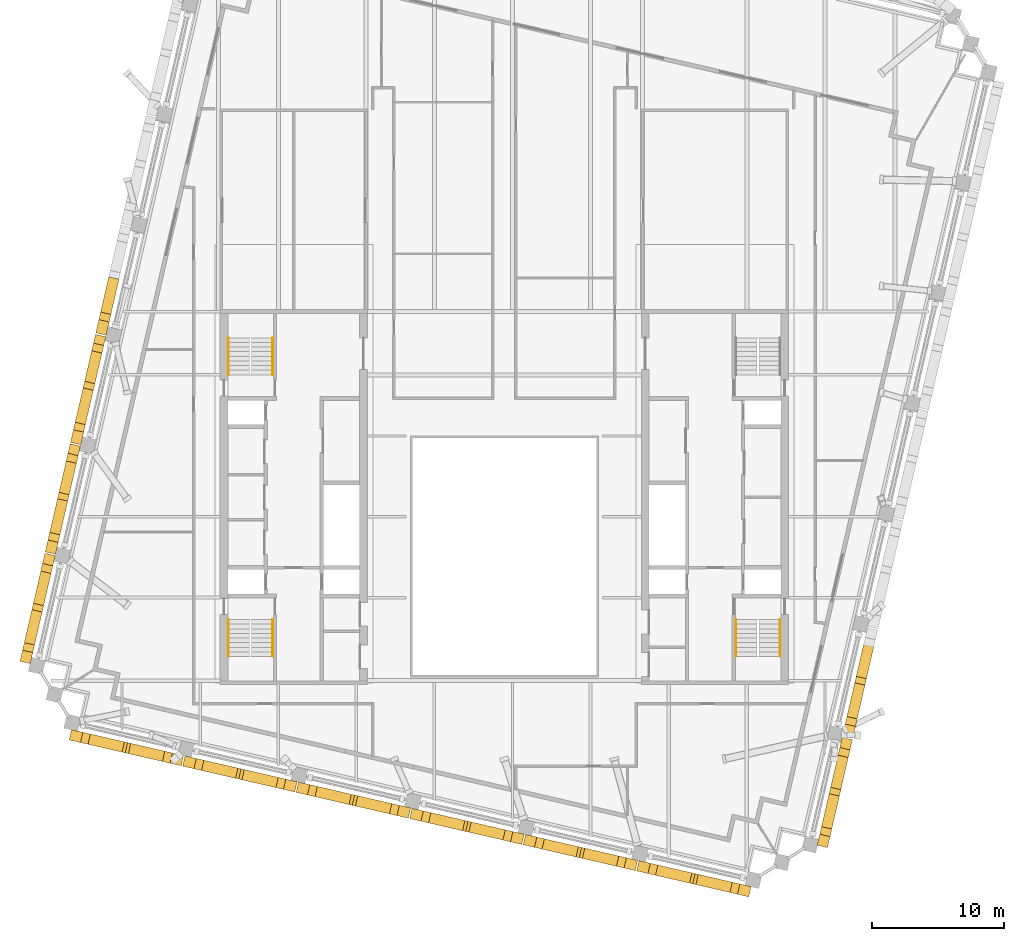
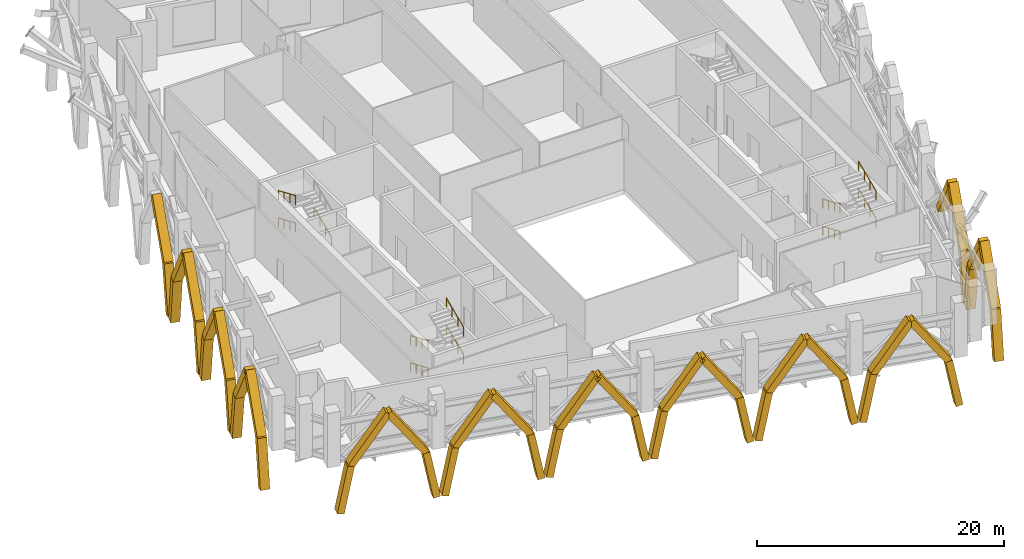
# One storey, part 17 of 19: 45 coverings, 11 railings.
"""IFC4 building model written with IfcOpenShell, lengths in metres."""

from ifc_helpers import new_model, si_unit, direction, frame, origin, origin_2d, place, context, subcontext, project, spatial, rectangle, circle, extrude, material, material_profile, profile_set, type_object, element, save


model = new_model("IFC4")

# Units and contexts
model_context = context("Model", 3, precision=1e-05, world=origin(), true_north=direction((0.0, 1.0)))
body_context = subcontext(model_context, "Body", "Model", "MODEL_VIEW")
ifc_project = project(units=[si_unit("LENGTHUNIT", "METRE"), si_unit("AREAUNIT", "SQUARE_METRE"), si_unit("VOLUMEUNIT", "CUBIC_METRE"), si_unit("PLANEANGLEUNIT", "RADIAN"), si_unit("MASSUNIT", "GRAM", prefix="KILO")], contexts=[model_context])

# Site, building, storey
site_placement = place(None, origin())
site = spatial("IfcSite", under=ifc_project, at=site_placement, CompositionType="ELEMENT")
building_placement = place(site_placement, origin())
building = spatial("IfcBuilding", under=site, at=building_placement, Name="Ogive Exchange Tower", CompositionType="ELEMENT")
storey_placement = place(building_placement, frame((0.0, 0.0, 297.60009765625)))
storey = spatial("IfcBuildingStorey", under=building, at=storey_placement, Name="L65", CompositionType="ELEMENT", Elevation=297.60009765625)

# Coverings
ifc_material_1 = material(Name="Precast concrete C50/60", Category="concrete")
ifc_material_profile = material_profile(ifc_material_1, rectangle(XDim=0.800048828125, YDim=0.60009765625, at=origin_2d()), Name="RIB 800 x 600")
ifc_profile_set = profile_set([ifc_material_profile], Name="Precast concrete C50/60")
covering_type = type_object("IfcCoveringType", Name="Precast tracery rib 800 x 600 C50/60", PredefinedType="CLADDING", material=ifc_profile_set)
covering_1_placement = place(storey_placement, frame((-32.68896484375, -6.6201171875, -4.2001953125), z_axis=(0.18511404867, -0.042933394896, 0.981778749305), x_axis=(0.225932420862, 0.974142977803, 0.0)))
element("IfcCovering", 1, at=covering_1_placement, inside=storey, type_object=covering_type, Name="Tracery rib 1a", PredefinedType="CLADDING", context=body_context, shape_type="SweptSolid", body=[
    extrude(rectangle(XDim=0.800048828125, YDim=0.60009765625, at=origin_2d()), origin(), (0.0, 0.0, 1.0), 4.634521484375),
])
covering_2_placement = place(storey_placement, frame((-31.8310546875, -6.819091796875, 0.349853515625), z_axis=(0.559935951159, -0.129148430112, 0.818408463787), x_axis=(0.224747882162, 0.974416948469, 0.0)))
element("IfcCovering", 2, at=covering_2_placement, inside=storey, type_object=covering_type, Name="Tracery rib 1a", PredefinedType="CLADDING", context=body_context, shape_type="SweptSolid", body=[
    extrude(rectangle(XDim=0.800048828125, YDim=0.60009765625, at=origin_2d()), origin(), (0.0, 0.0, 1.0), 5.5595703125),
])
covering_3_placement = place(storey_placement, frame((-24.748046875, -8.4541015625, -4.2001953125), z_axis=(-0.184912210258, 0.042724730062, 0.981825886774), x_axis=(-0.225123050168, -0.97433034043, 0.0)))
element("IfcCovering", 3, at=covering_3_placement, inside=storey, type_object=covering_type, Name="Tracery rib 1b", PredefinedType="CLADDING", context=body_context, shape_type="SweptSolid", body=[
    extrude(rectangle(XDim=0.800048828125, YDim=0.60009765625, at=origin_2d()), origin(), (0.0, 0.0, 1.0), 4.63427734375),
])
covering_4_placement = place(storey_placement, frame((-25.60498046875, -8.256103515625, 0.349853515625), z_axis=(-0.559923240677, 0.129321146874, 0.818389886009), x_axis=(-0.225038087544, -0.974349967494, 0.0)))
element("IfcCovering", 4, at=covering_4_placement, inside=storey, type_object=covering_type, Name="Tracery rib 1b", PredefinedType="CLADDING", context=body_context, shape_type="SweptSolid", body=[
    extrude(rectangle(XDim=0.800048828125, YDim=0.60009765625, at=origin_2d()), origin(), (0.0, 0.0, 1.0), 5.559814453125),
])
covering_5_placement = place(storey_placement, frame((-24.06591796875, -8.611083984375, -4.2001953125), z_axis=(0.185115719264, -0.042723064406, 0.981787609541), x_axis=(0.224879757948, 0.974386522108, 0.0)))
element("IfcCovering", 5, at=covering_5_placement, inside=storey, type_object=covering_type, Name="Tracery rib 2a", PredefinedType="CLADDING", context=body_context, shape_type="SweptSolid", body=[
    extrude(rectangle(XDim=0.800048828125, YDim=0.60009765625, at=origin_2d()), origin(), (0.0, 0.0, 1.0), 4.634521484375),
])
covering_6_placement = place(storey_placement, frame((-23.2080078125, -8.80908203125, 0.349853515625), z_axis=(0.559923240677, -0.129321146874, 0.818389886009), x_axis=(0.225038087544, 0.974349967494, 0.0)))
element("IfcCovering", 6, at=covering_6_placement, inside=storey, type_object=covering_type, Name="Tracery rib 2a", PredefinedType="CLADDING", context=body_context, shape_type="SweptSolid", body=[
    extrude(rectangle(XDim=0.800048828125, YDim=0.60009765625, at=origin_2d()), origin(), (0.0, 0.0, 1.0), 5.559814453125),
])
covering_7_placement = place(storey_placement, frame((-16.1240234375, -10.445068359375, -4.2001953125), z_axis=(-0.185115719264, 0.042723064406, 0.981787609541), x_axis=(-0.224879757948, -0.974386522108, 0.0)))
element("IfcCovering", 7, at=covering_7_placement, inside=storey, type_object=covering_type, Name="Tracery rib 2b", PredefinedType="CLADDING", context=body_context, shape_type="SweptSolid", body=[
    extrude(rectangle(XDim=0.800048828125, YDim=0.60009765625, at=origin_2d()), origin(), (0.0, 0.0, 1.0), 4.634521484375),
])
covering_8_placement = place(storey_placement, frame((-16.98193359375, -10.2470703125, 0.349853515625), z_axis=(-0.559923240677, 0.129321146874, 0.818389886009), x_axis=(-0.225038087544, -0.974349967494, 0.0)))
element("IfcCovering", 8, at=covering_8_placement, inside=storey, type_object=covering_type, Name="Tracery rib 2b", PredefinedType="CLADDING", context=body_context, shape_type="SweptSolid", body=[
    extrude(rectangle(XDim=0.800048828125, YDim=0.60009765625, at=origin_2d()), origin(), (0.0, 0.0, 1.0), 5.559814453125),
])
covering_9_placement = place(storey_placement, frame((-15.44189453125, -10.60205078125, -4.2001953125), z_axis=(0.184912210258, -0.042724730062, 0.981825886774), x_axis=(0.225123050168, 0.97433034043, 0.0)))
element("IfcCovering", 9, at=covering_9_placement, inside=storey, type_object=covering_type, Name="Tracery rib 3a", PredefinedType="CLADDING", context=body_context, shape_type="SweptSolid", body=[
    extrude(rectangle(XDim=0.800048828125, YDim=0.60009765625, at=origin_2d()), origin(), (0.0, 0.0, 1.0), 4.63427734375),
])
covering_10_placement = place(storey_placement, frame((-14.5849609375, -10.800048828125, 0.349853515625), z_axis=(0.559923240677, -0.129321146874, 0.818389886009), x_axis=(0.225038087544, 0.974349967494, 0.0)))
element("IfcCovering", 10, at=covering_10_placement, inside=storey, type_object=covering_type, Name="Tracery rib 3a", PredefinedType="CLADDING", context=body_context, shape_type="SweptSolid", body=[
    extrude(rectangle(XDim=0.800048828125, YDim=0.60009765625, at=origin_2d()), origin(), (0.0, 0.0, 1.0), 5.559814453125),
])
covering_11_placement = place(storey_placement, frame((-7.5009765625, -12.43505859375, -4.2001953125), z_axis=(-0.185115719264, 0.042723064406, 0.981787609541), x_axis=(-0.224879757948, -0.974386522108, 0.0)))
element("IfcCovering", 11, at=covering_11_placement, inside=storey, type_object=covering_type, Name="Tracery rib 3b", PredefinedType="CLADDING", context=body_context, shape_type="SweptSolid", body=[
    extrude(rectangle(XDim=0.800048828125, YDim=0.60009765625, at=origin_2d()), origin(), (0.0, 0.0, 1.0), 4.634521484375),
])
covering_12_placement = place(storey_placement, frame((-8.35888671875, -12.237060546875, 0.349853515625), z_axis=(-0.559935951159, 0.129148430112, 0.818408463787), x_axis=(-0.224747882162, -0.974416948469, 0.0)))
element("IfcCovering", 12, at=covering_12_placement, inside=storey, type_object=covering_type, Name="Tracery rib 3b", PredefinedType="CLADDING", context=body_context, shape_type="SweptSolid", body=[
    extrude(rectangle(XDim=0.800048828125, YDim=0.60009765625, at=origin_2d()), origin(), (0.0, 0.0, 1.0), 5.5595703125),
])
covering_13_placement = place(storey_placement, frame((-6.819091796875, -12.593017578125, -4.2001953125), z_axis=(0.185166592796, -0.042722647726, 0.981778034122), x_axis=(0.224819014849, 0.974400539081, 0.0)))
element("IfcCovering", 13, at=covering_13_placement, inside=storey, type_object=covering_type, Name="Tracery rib 4a", PredefinedType="CLADDING", context=body_context, shape_type="SweptSolid", body=[
    extrude(rectangle(XDim=0.800048828125, YDim=0.60009765625, at=origin_2d()), origin(), (0.0, 0.0, 1.0), 4.634521484375),
])
covering_14_placement = place(storey_placement, frame((-5.9609375, -12.791015625, 0.349853515625), z_axis=(0.559772487664, -0.129337045047, 0.818490495261), x_axis=(0.225121892388, 0.974330607939, 0.0)))
element("IfcCovering", 14, at=covering_14_placement, inside=storey, type_object=covering_type, Name="Tracery rib 4a", PredefinedType="CLADDING", context=body_context, shape_type="SweptSolid", body=[
    extrude(rectangle(XDim=0.800048828125, YDim=0.60009765625, at=origin_2d()), origin(), (0.0, 0.0, 1.0), 5.55908203125),
])
covering_15_placement = place(storey_placement, frame((1.1220703125, -14.426025390625, -4.2001953125), z_axis=(-0.185166592796, 0.042722647726, 0.981778034122), x_axis=(-0.224819014849, -0.974400539081, 0.0)))
element("IfcCovering", 15, at=covering_15_placement, inside=storey, type_object=covering_type, Name="Tracery rib 4b", PredefinedType="CLADDING", context=body_context, shape_type="SweptSolid", body=[
    extrude(rectangle(XDim=0.800048828125, YDim=0.60009765625, at=origin_2d()), origin(), (0.0, 0.0, 1.0), 4.634521484375),
])
covering_16_placement = place(storey_placement, frame((0.263916015625, -14.22802734375, 0.349853515625), z_axis=(-0.559935951159, 0.129148430112, 0.818408463787), x_axis=(-0.224747882162, -0.974416948469, 0.0)))
element("IfcCovering", 16, at=covering_16_placement, inside=storey, type_object=covering_type, Name="Tracery rib 4b", PredefinedType="CLADDING", context=body_context, shape_type="SweptSolid", body=[
    extrude(rectangle(XDim=0.800048828125, YDim=0.60009765625, at=origin_2d()), origin(), (0.0, 0.0, 1.0), 5.5595703125),
])
covering_17_placement = place(storey_placement, frame((1.803955078125, -14.583984375, -4.2001953125), z_axis=(0.185166592796, -0.042722647726, 0.981778034122), x_axis=(0.224819014849, 0.974400539081, 0.0)))
element("IfcCovering", 17, at=covering_17_placement, inside=storey, type_object=covering_type, Name="Tracery rib 5a", PredefinedType="CLADDING", context=body_context, shape_type="SweptSolid", body=[
    extrude(rectangle(XDim=0.800048828125, YDim=0.60009765625, at=origin_2d()), origin(), (0.0, 0.0, 1.0), 4.634521484375),
])
covering_18_placement = place(storey_placement, frame((2.662109375, -14.781982421875, 0.349853515625), z_axis=(0.559905804945, -0.129151605674, 0.818428587197), x_axis=(0.224764618965, 0.974413087998, 0.0)))
element("IfcCovering", 18, at=covering_18_placement, inside=storey, type_object=covering_type, Name="Tracery rib 5a", PredefinedType="CLADDING", context=body_context, shape_type="SweptSolid", body=[
    extrude(rectangle(XDim=0.800048828125, YDim=0.60009765625, at=origin_2d()), origin(), (0.0, 0.0, 1.0), 5.5595703125),
])
covering_19_placement = place(storey_placement, frame((9.7451171875, -16.4169921875, -4.2001953125), z_axis=(-0.185166592796, 0.042722647726, 0.981778034122), x_axis=(-0.224819014849, -0.974400539081, 0.0)))
element("IfcCovering", 19, at=covering_19_placement, inside=storey, type_object=covering_type, Name="Tracery rib 5b", PredefinedType="CLADDING", context=body_context, shape_type="SweptSolid", body=[
    extrude(rectangle(XDim=0.800048828125, YDim=0.60009765625, at=origin_2d()), origin(), (0.0, 0.0, 1.0), 4.634521484375),
])
covering_20_placement = place(storey_placement, frame((8.886962890625, -16.218994140625, 0.349853515625), z_axis=(-0.559802642714, 0.129333865442, 0.818470373599), x_axis=(-0.22510512656, -0.97433448158, 0.0)))
element("IfcCovering", 20, at=covering_20_placement, inside=storey, type_object=covering_type, Name="Tracery rib 5b", PredefinedType="CLADDING", context=body_context, shape_type="SweptSolid", body=[
    extrude(rectangle(XDim=0.800048828125, YDim=0.60009765625, at=origin_2d()), origin(), (0.0, 0.0, 1.0), 5.559326171875),
])
covering_21_placement = place(storey_placement, frame((10.427001953125, -16.574951171875, -4.2001953125), z_axis=(0.185115719264, -0.042723064406, 0.981787609541), x_axis=(0.224879757948, 0.974386522108, 0.0)))
element("IfcCovering", 21, at=covering_21_placement, inside=storey, type_object=covering_type, Name="Tracery rib 6a", PredefinedType="CLADDING", context=body_context, shape_type="SweptSolid", body=[
    extrude(rectangle(XDim=0.800048828125, YDim=0.60009765625, at=origin_2d()), origin(), (0.0, 0.0, 1.0), 4.634521484375),
])
covering_22_placement = place(storey_placement, frame((11.284912109375, -16.77294921875, 0.349853515625), z_axis=(0.559935951159, -0.129148430112, 0.818408463787), x_axis=(0.224747882162, 0.974416948469, 0.0)))
element("IfcCovering", 22, at=covering_22_placement, inside=storey, type_object=covering_type, Name="Tracery rib 6a", PredefinedType="CLADDING", context=body_context, shape_type="SweptSolid", body=[
    extrude(rectangle(XDim=0.800048828125, YDim=0.60009765625, at=origin_2d()), origin(), (0.0, 0.0, 1.0), 5.5595703125),
])
covering_23_placement = place(storey_placement, frame((18.367919921875, -18.407958984375, -4.2001953125), z_axis=(-0.184912210258, 0.042724730062, 0.981825886774), x_axis=(-0.225123050168, -0.97433034043, 0.0)))
element("IfcCovering", 23, at=covering_23_placement, inside=storey, type_object=covering_type, Name="Tracery rib 6b", PredefinedType="CLADDING", context=body_context, shape_type="SweptSolid", body=[
    extrude(rectangle(XDim=0.800048828125, YDim=0.60009765625, at=origin_2d()), origin(), (0.0, 0.0, 1.0), 4.63427734375),
])
covering_24_placement = place(storey_placement, frame((17.510986328125, -18.2099609375, 0.349853515625), z_axis=(-0.559923240677, 0.129321146874, 0.818389886009), x_axis=(-0.225038087544, -0.974349967494, 0.0)))
element("IfcCovering", 24, at=covering_24_placement, inside=storey, type_object=covering_type, Name="Tracery rib 6b", PredefinedType="CLADDING", context=body_context, shape_type="SweptSolid", body=[
    extrude(rectangle(XDim=0.800048828125, YDim=0.60009765625, at=origin_2d()), origin(), (0.0, 0.0, 1.0), 5.559814453125),
])
covering_25_placement = place(storey_placement, frame((24.220947265625, -14.7509765625, -4.2001953125), z_axis=(0.041911224351, 0.181404431438, 0.982515079542), x_axis=(-0.974333896935, 0.225107657095, 0.0)))
element("IfcCovering", 25, at=covering_25_placement, inside=storey, type_object=covering_type, Name="Tracery rib 9a", PredefinedType="CLADDING", context=body_context, shape_type="SweptSolid", body=[
    extrude(rectangle(XDim=0.800048828125, YDim=0.60009765625, at=origin_2d()), origin(), (0.0, 0.0, 1.0), 4.631103515625),
])
covering_26_placement = place(storey_placement, frame((24.4150390625, -13.910888671875, 0.349853515625), z_axis=(0.126954413944, 0.550283398004, 0.825270112546), x_axis=(-0.974404409226, 0.224802240384, 0.0)))
element("IfcCovering", 26, at=covering_26_placement, inside=storey, type_object=covering_type, Name="Tracery rib 9a", PredefinedType="CLADDING", context=body_context, shape_type="SweptSolid", body=[
    extrude(rectangle(XDim=0.800048828125, YDim=0.60009765625, at=origin_2d()), origin(), (0.0, 0.0, 1.0), 5.513427734375),
])
covering_27_placement = place(storey_placement, frame((25.98291015625, -7.118896484375, -4.2001953125), z_axis=(-0.039155080365, -0.169249288001, 0.984795185911), x_axis=(0.974268013321, -0.225392631243, 0.0)))
element("IfcCovering", 27, at=covering_27_placement, inside=storey, type_object=covering_type, Name="Tracery rib 9b", PredefinedType="CLADDING", context=body_context, shape_type="SweptSolid", body=[
    extrude(rectangle(XDim=0.800048828125, YDim=0.60009765625, at=origin_2d()), origin(), (0.0, 0.0, 1.0), 4.620361328125),
])
covering_28_placement = place(storey_placement, frame((25.802001953125, -7.90087890625, 0.349853515625), z_axis=(-0.125363872569, -0.543065247552, 0.830279492915), x_axis=(0.974375027088, -0.224929559165, 0.0)))
element("IfcCovering", 28, at=covering_28_placement, inside=storey, type_object=covering_type, Name="Tracery rib 9b", PredefinedType="CLADDING", context=body_context, shape_type="SweptSolid", body=[
    extrude(rectangle(XDim=0.800048828125, YDim=0.60009765625, at=origin_2d()), origin(), (0.0, 0.0, 1.0), 5.480224609375),
])
covering_29_placement = place(storey_placement, frame((26.139892578125, -6.43701171875, -4.2001953125), z_axis=(0.044807244328, 0.1932180935, 0.980132174352), x_axis=(-0.974149321216, 0.225905068502, 0.0)))
element("IfcCovering", 29, at=covering_29_placement, inside=storey, type_object=covering_type, Name="Tracery rib 10a", PredefinedType="CLADDING", context=body_context, shape_type="SweptSolid", body=[
    extrude(rectangle(XDim=0.800048828125, YDim=0.60009765625, at=origin_2d()), origin(), (0.0, 0.0, 1.0), 4.642333984375),
])
covering_30_placement = place(storey_placement, frame((26.347900390625, -5.5400390625, 0.349853515625), z_axis=(0.128555947104, 0.557398517655, 0.820231833679), x_axis=(-0.974419715424, 0.224735885413, 0.0)))
element("IfcCovering", 30, at=covering_30_placement, inside=storey, type_object=covering_type, Name="Tracery rib 10a", PredefinedType="CLADDING", context=body_context, shape_type="SweptSolid", body=[
    extrude(rectangle(XDim=0.800048828125, YDim=0.60009765625, at=origin_2d()), origin(), (0.0, 0.0, 1.0), 5.54736328125),
])
covering_31_placement = place(storey_placement, frame((27.735107421875, 0.469970703125, 0.349853515625), z_axis=(-0.123746828597, -0.535683482574, 0.835302297919), x_axis=(0.974340334594, -0.225079791149, 0.0)))
element("IfcCovering", 31, at=covering_31_placement, inside=storey, type_object=covering_type, Name="Tracery rib 10b", PredefinedType="CLADDING", context=body_context, shape_type="SweptSolid", body=[
    extrude(rectangle(XDim=0.800048828125, YDim=0.60009765625, at=origin_2d()), origin(), (0.0, 0.0, 1.0), 5.447265625),
])
covering_32_placement = place(storey_placement, frame((-30.587890625, 24.174072265625, -4.2001953125), z_axis=(0.050114051302, 0.216829585225, 0.974922311178), x_axis=(-0.974315869684, 0.225185670243, 0.0)))
element("IfcCovering", 32, at=covering_32_placement, inside=storey, type_object=covering_type, Name="Tracery rib 29b", PredefinedType="CLADDING", context=body_context, shape_type="SweptSolid", body=[
    extrude(rectangle(XDim=0.800048828125, YDim=0.60009765625, at=origin_2d()), origin(), (0.0, 0.0, 1.0), 4.6669921875),
])
covering_33_placement = place(storey_placement, frame((-30.35400390625, 25.18603515625, 0.349853515625), z_axis=(0.131785828146, 0.570970470211, 0.810324143567), x_axis=(-0.974382441131, 0.224897439771, 0.0)))
element("IfcCovering", 33, at=covering_33_placement, inside=storey, type_object=covering_type, Name="Tracery rib 29b", PredefinedType="CLADDING", context=body_context, shape_type="SweptSolid", body=[
    extrude(rectangle(XDim=0.800048828125, YDim=0.60009765625, at=origin_2d()), origin(), (0.0, 0.0, 1.0), 5.614990234375),
])
covering_34_placement = place(storey_placement, frame((-30.7451171875, 23.490966796875, -4.2001953125), z_axis=(-0.033428611984, -0.144751196018, 0.988903240541), x_axis=(0.974355064984, -0.22501601574, 0.0)))
element("IfcCovering", 34, at=covering_34_placement, inside=storey, type_object=covering_type, Name="Tracery rib 30a", PredefinedType="CLADDING", context=body_context, shape_type="SweptSolid", body=[
    extrude(rectangle(XDim=0.800048828125, YDim=0.60009765625, at=origin_2d()), origin(), (0.0, 0.0, 1.0), 4.60107421875),
])
covering_35_placement = place(storey_placement, frame((-30.89892578125, 22.824951171875, 0.349853515625), z_axis=(-0.122088232766, -0.528297603969, 0.840235743742), x_axis=(0.974321080365, -0.22516312388, 0.0)))
element("IfcCovering", 35, at=covering_35_placement, inside=storey, type_object=covering_type, Name="Tracery rib 30a", PredefinedType="CLADDING", context=body_context, shape_type="SweptSolid", body=[
    extrude(rectangle(XDim=0.800048828125, YDim=0.60009765625, at=origin_2d()), origin(), (0.0, 0.0, 1.0), 5.415283203125),
])
covering_36_placement = place(storey_placement, frame((-32.507080078125, 15.860107421875, -4.2001953125), z_axis=(0.047261243946, 0.205148418504, 0.977589126989), x_axis=(-0.974475115135, 0.224495545573, 0.0)))
element("IfcCovering", 36, at=covering_36_placement, inside=storey, type_object=covering_type, Name="Tracery rib 30b", PredefinedType="CLADDING", context=body_context, shape_type="SweptSolid", body=[
    extrude(rectangle(XDim=0.800048828125, YDim=0.60009765625, at=origin_2d()), origin(), (0.0, 0.0, 1.0), 4.654296875),
])
covering_37_placement = place(storey_placement, frame((-32.287109375, 16.81494140625, 0.349853515625), z_axis=(0.13026986325, 0.564254857642, 0.815258375214), x_axis=(-0.974369548162, 0.224953292071, 0.0)))
element("IfcCovering", 37, at=covering_37_placement, inside=storey, type_object=covering_type, Name="Tracery rib 30b", PredefinedType="CLADDING", context=body_context, shape_type="SweptSolid", body=[
    extrude(rectangle(XDim=0.800048828125, YDim=0.60009765625, at=origin_2d()), origin(), (0.0, 0.0, 1.0), 5.5810546875),
])
covering_38_placement = place(storey_placement, frame((-32.6650390625, 15.177978515625, -4.2001953125), z_axis=(-0.036220069626, -0.157271354955, 0.986890990671), x_axis=(0.974490639615, -0.224428147305, 0.0)))
element("IfcCovering", 38, at=covering_38_placement, inside=storey, type_object=covering_type, Name="Tracery rib 31a", PredefinedType="CLADDING", context=body_context, shape_type="SweptSolid", body=[
    extrude(rectangle(XDim=0.800048828125, YDim=0.60009765625, at=origin_2d()), origin(), (0.0, 0.0, 1.0), 4.610595703125),
])
covering_39_placement = place(storey_placement, frame((-32.83203125, 14.452880859375, 0.349853515625), z_axis=(-0.123746828597, -0.535683482574, 0.835302297919), x_axis=(0.974340334594, -0.225079791149, 0.0)))
element("IfcCovering", 39, at=covering_39_placement, inside=storey, type_object=covering_type, Name="Tracery rib 31a", PredefinedType="CLADDING", context=body_context, shape_type="SweptSolid", body=[
    extrude(rectangle(XDim=0.800048828125, YDim=0.60009765625, at=origin_2d()), origin(), (0.0, 0.0, 1.0), 5.447265625),
])
covering_40_placement = place(storey_placement, frame((-34.426025390625, 7.5458984375, -4.2001953125), z_axis=(0.044596847821, 0.193270537431, 0.98013143023), x_axis=(-0.974395664182, 0.224840142375, 0.0)))
element("IfcCovering", 40, at=covering_40_placement, inside=storey, type_object=covering_type, Name="Tracery rib 31b", PredefinedType="CLADDING", context=body_context, shape_type="SweptSolid", body=[
    extrude(rectangle(XDim=0.800048828125, YDim=0.60009765625, at=origin_2d()), origin(), (0.0, 0.0, 1.0), 4.642333984375),
])
covering_41_placement = place(storey_placement, frame((-34.218994140625, 8.443115234375, 0.349853515625), z_axis=(0.128515815805, 0.557371332654, 0.820256595599), x_axis=(-0.974432677579, 0.224679676132, 0.0)))
element("IfcCovering", 41, at=covering_41_placement, inside=storey, type_object=covering_type, Name="Tracery rib 31b", PredefinedType="CLADDING", context=body_context, shape_type="SweptSolid", body=[
    extrude(rectangle(XDim=0.800048828125, YDim=0.60009765625, at=origin_2d()), origin(), (0.0, 0.0, 1.0), 5.547119140625),
])
covering_42_placement = place(storey_placement, frame((-34.583984375, 6.864013671875, -4.2001953125), z_axis=(-0.038944038339, -0.169250684937, 0.984803314132), x_axis=(0.974534578916, -0.224237272763, 0.0)))
element("IfcCovering", 42, at=covering_42_placement, inside=storey, type_object=covering_type, Name="Tracery rib 32a", PredefinedType="CLADDING", context=body_context, shape_type="SweptSolid", body=[
    extrude(rectangle(XDim=0.800048828125, YDim=0.60009765625, at=origin_2d()), origin(), (0.0, 0.0, 1.0), 4.620361328125),
])
covering_43_placement = place(storey_placement, frame((-34.763916015625, 6.08203125, 0.349853515625), z_axis=(-0.125539266321, -0.543053107328, 0.830260932016), x_axis=(0.974304911145, -0.225233079541, 0.0)))
element("IfcCovering", 43, at=covering_43_placement, inside=storey, type_object=covering_type, Name="Tracery rib 32a", PredefinedType="CLADDING", context=body_context, shape_type="SweptSolid", body=[
    extrude(rectangle(XDim=0.800048828125, YDim=0.60009765625, at=origin_2d()), origin(), (0.0, 0.0, 1.0), 5.480224609375),
])
covering_44_placement = place(storey_placement, frame((-36.345947265625, -0.76806640625, -4.2001953125), z_axis=(0.041858598259, 0.181404832, 0.982517249049), x_axis=(-0.974395968042, 0.224838825523, 0.0)))
element("IfcCovering", 44, at=covering_44_placement, inside=storey, type_object=covering_type, Name="Tracery rib 32b", PredefinedType="CLADDING", context=body_context, shape_type="SweptSolid", body=[
    extrude(rectangle(XDim=0.800048828125, YDim=0.60009765625, at=origin_2d()), origin(), (0.0, 0.0, 1.0), 4.631103515625),
])
covering_45_placement = place(storey_placement, frame((-36.152099609375, 0.072021484375, 0.349853515625), z_axis=(0.126997981151, 0.550280303961, 0.825265472352), x_axis=(-0.974387231049, 0.224876686139, 0.0)))
element("IfcCovering", 45, at=covering_45_placement, inside=storey, type_object=covering_type, Name="Tracery rib 32b", PredefinedType="CLADDING", context=body_context, shape_type="SweptSolid", body=[
    extrude(rectangle(XDim=0.800048828125, YDim=0.60009765625, at=origin_2d()), origin(), (0.0, 0.0, 1.0), 5.513427734375),
])

# Railings
ifc_material_2 = material(Name="Stainless steel", Category="steel")
railing_type = type_object("IfcRailingType", Name="Stair handrail 900", PredefinedType="HANDRAIL", material=ifc_material_2)
railing_1_placement = place(storey_placement, frame((-20.949951171875, 2.199951171875, 0.14990234375)))
element("IfcRailing", 46, at=railing_1_placement, inside=storey, type_object=railing_type, Name="L65 ST1 stair handrail 1", PredefinedType="HANDRAIL", context=body_context, shape_type="SweptSolid", body=[
    extrude(circle(Radius=0.02392578125, at=origin_2d()), frame((0.0, 0.0, 0.8759765625), z_axis=(0.0, -0.919549827119, 0.392973428423), x_axis=(1.0, 0.0, 0.0)), (0.0, 0.0, 1.0), 3.053466796875),
    extrude(circle(Radius=0.02099609375, at=origin_2d()), origin(), (0.0, 0.0, 1.0), 0.851806640625),
    extrude(circle(Radius=0.02099609375, at=origin_2d()), frame((0.0, -0.93603515625, 0.39990234375)), (0.0, 0.0, 1.0), 0.851806640625),
    extrude(circle(Radius=0.02099609375, at=origin_2d()), frame((0.0, -1.871826171875, 0.800048828125)), (0.0, 0.0, 1.0), 0.851806640625),
    extrude(circle(Radius=0.02099609375, at=origin_2d()), frame((0.0, -2.807861328125, 1.199951171875)), (0.0, 0.0, 1.0), 0.851806640625),
])
railing_2_placement = place(storey_placement, frame((-17.60009765625, -0.60791015625, 1.5)))
element("IfcRailing", 47, at=railing_2_placement, inside=storey, type_object=railing_type, Name="L65 ST1 stair handrail 2", PredefinedType="HANDRAIL", context=body_context, shape_type="SweptSolid", body=[
    extrude(circle(Radius=0.02392578125, at=origin_2d()), frame((0.0, 0.0, 0.8759765625), z_axis=(0.0, 0.919549827119, 0.392973428423), x_axis=(-1.0, 0.0, 0.0)), (0.0, 0.0, 1.0), 3.053466796875),
    extrude(circle(Radius=0.02099609375, at=origin_2d()), origin(), (0.0, 0.0, 1.0), 0.851806640625),
    extrude(circle(Radius=0.02099609375, at=origin_2d()), frame((0.0, 0.93603515625, 0.39990234375)), (0.0, 0.0, 1.0), 0.851806640625),
    extrude(circle(Radius=0.02099609375, at=origin_2d()), frame((0.0, 1.871826171875, 0.800048828125)), (0.0, 0.0, 1.0), 0.851806640625),
    extrude(circle(Radius=0.02099609375, at=origin_2d()), frame((0.0, 2.807861328125, 1.199951171875)), (0.0, 0.0, 1.0), 0.851806640625),
])
railing_3_placement = place(storey_placement, frame((-20.949951171875, 2.199951171875, 2.849853515625)))
element("IfcRailing", 48, at=railing_3_placement, inside=storey, type_object=railing_type, Name="L65 ST1 stair handrail 3", PredefinedType="HANDRAIL", context=body_context, shape_type="SweptSolid", body=[
    extrude(circle(Radius=0.02392578125, at=origin_2d()), frame((0.0, 0.0, 0.8759765625), z_axis=(0.0, -0.919549827119, 0.392973428423), x_axis=(1.0, 0.0, 0.0)), (0.0, 0.0, 1.0), 3.053466796875),
    extrude(circle(Radius=0.02099609375, at=origin_2d()), origin(), (0.0, 0.0, 1.0), 0.851806640625),
    extrude(circle(Radius=0.02099609375, at=origin_2d()), frame((0.0, -0.93603515625, 0.39990234375)), (0.0, 0.0, 1.0), 0.851806640625),
    extrude(circle(Radius=0.02099609375, at=origin_2d()), frame((0.0, -1.871826171875, 0.800048828125)), (0.0, 0.0, 1.0), 0.851806640625),
    extrude(circle(Radius=0.02099609375, at=origin_2d()), frame((0.0, -2.807861328125, 1.199951171875)), (0.0, 0.0, 1.0), 0.851806640625),
])
for number, where, name in (
    (49, (-17.60009765625, -0.60791015625, 4.199951171875), "L65 ST1 stair handrail 4"),
    (50, (-17.60009765625, 20.800048828125, 0.14990234375), "L65 ST2 stair handrail 1"),
):
    element("IfcRailing", number, at=place(storey_placement, frame(where)), inside=storey, type_object=railing_type, Name=name, PredefinedType="HANDRAIL", context=body_context, shape_type="SweptSolid", body=[
        extrude(circle(Radius=0.02392578125, at=origin_2d()), frame((0.0, 0.0, 0.8759765625), z_axis=(0.0, 0.919549827119, 0.392973428423), x_axis=(-1.0, 0.0, 0.0)), (0.0, 0.0, 1.0), 3.053466796875),
        extrude(circle(Radius=0.02099609375, at=origin_2d()), origin(), (0.0, 0.0, 1.0), 0.851806640625),
        extrude(circle(Radius=0.02099609375, at=origin_2d()), frame((0.0, 0.93603515625, 0.39990234375)), (0.0, 0.0, 1.0), 0.851806640625),
        extrude(circle(Radius=0.02099609375, at=origin_2d()), frame((0.0, 1.871826171875, 0.800048828125)), (0.0, 0.0, 1.0), 0.851806640625),
        extrude(circle(Radius=0.02099609375, at=origin_2d()), frame((0.0, 2.807861328125, 1.199951171875)), (0.0, 0.0, 1.0), 0.851806640625),
    ])
for number, where, name in (
    (51, (-20.949951171875, 23.60791015625, 1.5), "L65 ST2 stair handrail 2"),
    (52, (-20.949951171875, 23.60791015625, 4.199951171875), "L65 ST2 stair handrail 4"),
    (53, (17.60009765625, 2.199951171875, 0.14990234375), "L65 ST3 stair handrail 1"),
):
    element("IfcRailing", number, at=place(storey_placement, frame(where)), inside=storey, type_object=railing_type, Name=name, PredefinedType="HANDRAIL", context=body_context, shape_type="SweptSolid", body=[
        extrude(circle(Radius=0.02392578125, at=origin_2d()), frame((0.0, 0.0, 0.8759765625), z_axis=(0.0, -0.919549827119, 0.392973428423), x_axis=(1.0, 0.0, 0.0)), (0.0, 0.0, 1.0), 3.053466796875),
        extrude(circle(Radius=0.02099609375, at=origin_2d()), origin(), (0.0, 0.0, 1.0), 0.851806640625),
        extrude(circle(Radius=0.02099609375, at=origin_2d()), frame((0.0, -0.93603515625, 0.39990234375)), (0.0, 0.0, 1.0), 0.851806640625),
        extrude(circle(Radius=0.02099609375, at=origin_2d()), frame((0.0, -1.871826171875, 0.800048828125)), (0.0, 0.0, 1.0), 0.851806640625),
        extrude(circle(Radius=0.02099609375, at=origin_2d()), frame((0.0, -2.807861328125, 1.199951171875)), (0.0, 0.0, 1.0), 0.851806640625),
    ])
railing_4_placement = place(storey_placement, frame((20.949951171875, -0.60791015625, 1.5)))
element("IfcRailing", 54, at=railing_4_placement, inside=storey, type_object=railing_type, Name="L65 ST3 stair handrail 2", PredefinedType="HANDRAIL", context=body_context, shape_type="SweptSolid", body=[
    extrude(circle(Radius=0.02392578125, at=origin_2d()), frame((0.0, 0.0, 0.8759765625), z_axis=(0.0, 0.919549827119, 0.392973428423), x_axis=(-1.0, 0.0, 0.0)), (0.0, 0.0, 1.0), 3.053466796875),
    extrude(circle(Radius=0.02099609375, at=origin_2d()), origin(), (0.0, 0.0, 1.0), 0.851806640625),
    extrude(circle(Radius=0.02099609375, at=origin_2d()), frame((0.0, 0.93603515625, 0.39990234375)), (0.0, 0.0, 1.0), 0.851806640625),
    extrude(circle(Radius=0.02099609375, at=origin_2d()), frame((0.0, 1.871826171875, 0.800048828125)), (0.0, 0.0, 1.0), 0.851806640625),
    extrude(circle(Radius=0.02099609375, at=origin_2d()), frame((0.0, 2.807861328125, 1.199951171875)), (0.0, 0.0, 1.0), 0.851806640625),
])
railing_5_placement = place(storey_placement, frame((17.60009765625, 2.199951171875, 2.849853515625)))
element("IfcRailing", 55, at=railing_5_placement, inside=storey, type_object=railing_type, Name="L65 ST3 stair handrail 3", PredefinedType="HANDRAIL", context=body_context, shape_type="SweptSolid", body=[
    extrude(circle(Radius=0.02392578125, at=origin_2d()), frame((0.0, 0.0, 0.8759765625), z_axis=(0.0, -0.919549827119, 0.392973428423), x_axis=(1.0, 0.0, 0.0)), (0.0, 0.0, 1.0), 3.053466796875),
    extrude(circle(Radius=0.02099609375, at=origin_2d()), origin(), (0.0, 0.0, 1.0), 0.851806640625),
    extrude(circle(Radius=0.02099609375, at=origin_2d()), frame((0.0, -0.93603515625, 0.39990234375)), (0.0, 0.0, 1.0), 0.851806640625),
    extrude(circle(Radius=0.02099609375, at=origin_2d()), frame((0.0, -1.871826171875, 0.800048828125)), (0.0, 0.0, 1.0), 0.851806640625),
    extrude(circle(Radius=0.02099609375, at=origin_2d()), frame((0.0, -2.807861328125, 1.199951171875)), (0.0, 0.0, 1.0), 0.851806640625),
])
railing_6_placement = place(storey_placement, frame((20.949951171875, -0.60791015625, 4.199951171875)))
element("IfcRailing", 56, at=railing_6_placement, inside=storey, type_object=railing_type, Name="L65 ST3 stair handrail 4", PredefinedType="HANDRAIL", context=body_context, shape_type="SweptSolid", body=[
    extrude(circle(Radius=0.02392578125, at=origin_2d()), frame((0.0, 0.0, 0.8759765625), z_axis=(0.0, 0.919549827119, 0.392973428423), x_axis=(-1.0, 0.0, 0.0)), (0.0, 0.0, 1.0), 3.053466796875),
    extrude(circle(Radius=0.02099609375, at=origin_2d()), origin(), (0.0, 0.0, 1.0), 0.851806640625),
    extrude(circle(Radius=0.02099609375, at=origin_2d()), frame((0.0, 0.93603515625, 0.39990234375)), (0.0, 0.0, 1.0), 0.851806640625),
    extrude(circle(Radius=0.02099609375, at=origin_2d()), frame((0.0, 1.871826171875, 0.800048828125)), (0.0, 0.0, 1.0), 0.851806640625),
    extrude(circle(Radius=0.02099609375, at=origin_2d()), frame((0.0, 2.807861328125, 1.199951171875)), (0.0, 0.0, 1.0), 0.851806640625),
])

save(model, "model.ifc")
